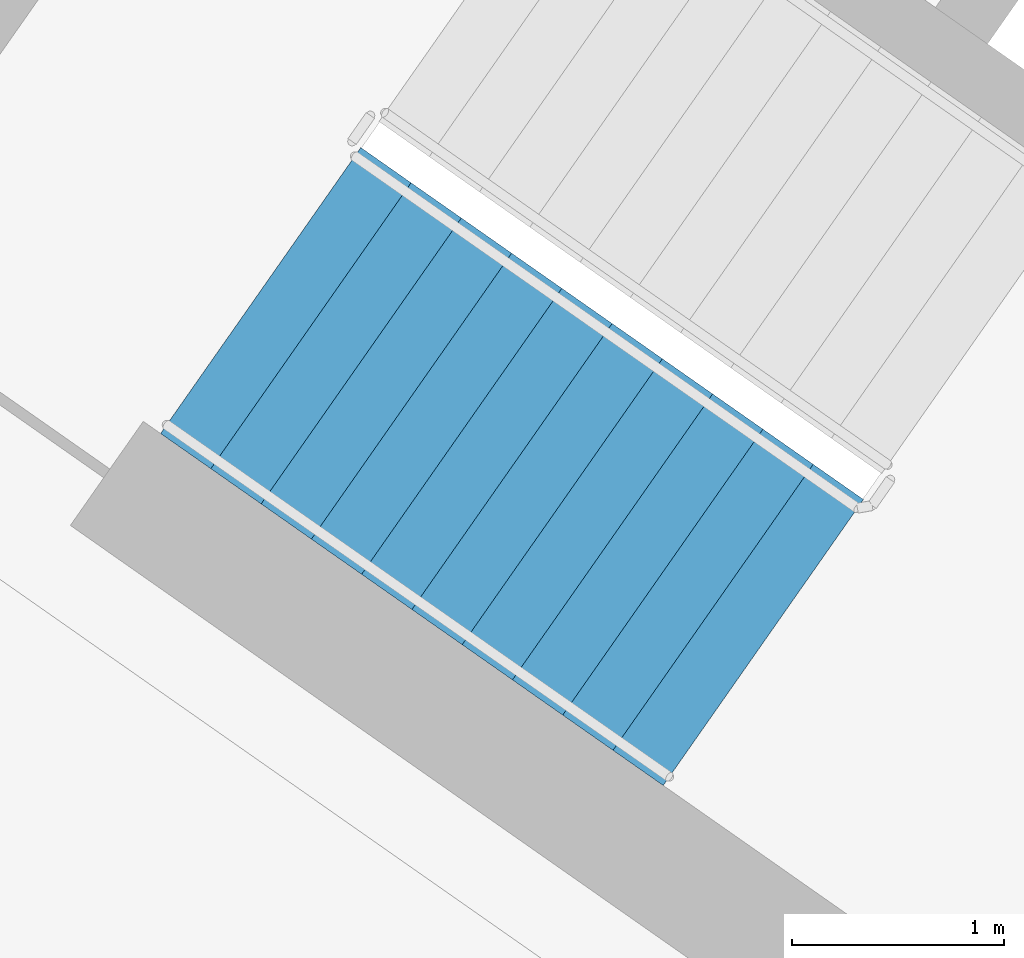
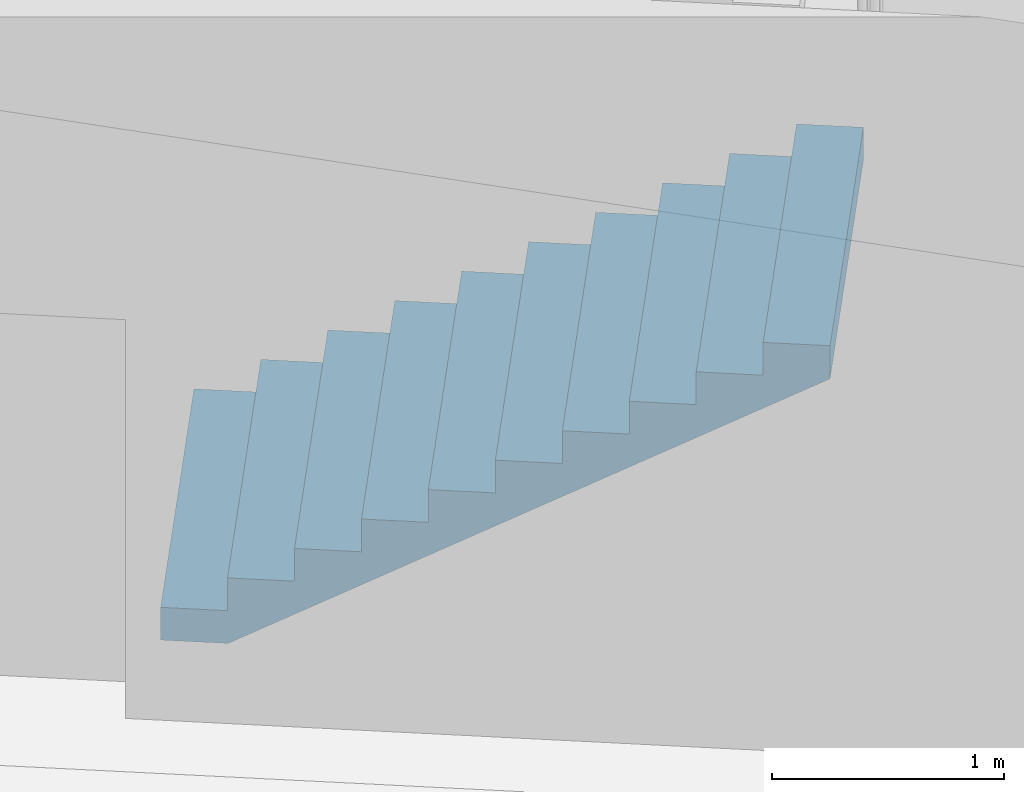
# One storey, part 9 of 28: 1 stair flight, 1 element without a shape of its own.
"""IFC4 building model written with IfcOpenShell, lengths in metres."""

import ifcopenshell
import ifcopenshell.guid

model = None  # the IFC model being written
_history = None  # IfcOwnerHistory: only IFC2X3 demands one
_inside = {}  # id of a spatial element -> (the spatial element, [elements in it])
_under = {}  # id of a project, library or spatial element -> (it, [spatial elements below it])
_declared = {}  # id of a project -> (the project, [libraries it declares])
_typed = {}  # id of a type object -> (the type object, [elements of that type])
_made_of = {}  # id of a material, layer set ... -> (it, [elements and type objects made of it])


def new_model(schema):
    """Start an empty IFC model of exactly this schema.

    Asked for "IFC4X3", IfcOpenShell would pick the latest addendum, in which some entities
    have other attributes; the version numbers below select the first issue.
    IFC2X3 requires an IfcOwnerHistory on every rooted entity: one is made here for all.
    """
    global model, _history
    if schema == "IFC4X3":
        model = ifcopenshell.file(schema_version=(4, 3, 0, 0))
    else:
        model = ifcopenshell.file(schema=schema)
    _inside.clear()
    _under.clear()
    _declared.clear()
    _typed.clear()
    _made_of.clear()
    _history = None
    if model.schema == "IFC2X3":
        org = make("IfcOrganization", Name="unknown")
        user = make(
            "IfcPersonAndOrganization",
            ThePerson=make("IfcPerson", FamilyName="unknown"),
            TheOrganization=org,
        )
        app = make(
            "IfcApplication",
            ApplicationDeveloper=org,
            Version="unknown",
            ApplicationFullName="unknown",
            ApplicationIdentifier="unknown",
        )
        _history = make(
            "IfcOwnerHistory",
            OwningUser=user,
            OwningApplication=app,
            ChangeAction="ADDED",
            CreationDate=0,
        )
    return model


def make(cls, **values):
    """One entity of the class cls with the attributes given. An attribute that is None is left unset."""
    return model.create_entity(
        cls, **{name: value for name, value in values.items() if value is not None}
    )


def rooted(cls, **values):
    """An entity with a GlobalId (a new one), such as an element, a storey or a relation."""
    return make(cls, GlobalId=ifcopenshell.guid.new(), OwnerHistory=_history, **values)


def si_unit(unit_type, name, prefix=None):
    """IfcSIUnit, for example si_unit("LENGTHUNIT", "METRE", prefix="MILLI")."""
    return make("IfcSIUnit", UnitType=unit_type, Prefix=prefix, Name=name)


def assignment(units):
    """IfcUnitAssignment: the units of a project."""
    return None if units is None else make("IfcUnitAssignment", Units=units)


def point(xyz):
    """IfcCartesianPoint."""
    return None if xyz is None else make("IfcCartesianPoint", Coordinates=xyz)


def direction(xyz):
    """IfcDirection."""
    return None if xyz is None else make("IfcDirection", DirectionRatios=xyz)


def frame(location, z_axis=None, x_axis=None):
    """IfcAxis2Placement3D, a coordinate frame: its origin and axes. An axis left out is left unset."""
    return make(
        "IfcAxis2Placement3D",
        Location=point(location),
        Axis=direction(z_axis),
        RefDirection=direction(x_axis),
    )


def origin():
    """The frame at (0, 0, 0) with its axes left unset."""
    return frame((0.0, 0.0, 0.0))


def place(relative_to, where):
    """IfcLocalPlacement: puts the frame where relative to a parent placement (None: the world)."""
    return make(
        "IfcLocalPlacement", PlacementRelTo=relative_to, RelativePlacement=where
    )


def context(
    kind, dimensions, precision=None, world=None, true_north=None, identifier=None
):
    """IfcGeometricRepresentationContext, for example the 3D "Model" context."""
    return make(
        "IfcGeometricRepresentationContext",
        ContextIdentifier=identifier,
        ContextType=kind,
        CoordinateSpaceDimension=dimensions,
        Precision=precision,
        WorldCoordinateSystem=world,
        TrueNorth=true_north,
    )


def subcontext(parent, identifier, kind, view, scale=None):
    """IfcGeometricRepresentationSubContext, for example "Body" below "Model"."""
    return make(
        "IfcGeometricRepresentationSubContext",
        ContextIdentifier=identifier,
        ContextType=kind,
        ParentContext=parent,
        TargetScale=scale,
        TargetView=view,
    )


def project(units=None, contexts=None):
    """IfcProject with its units and contexts."""
    return rooted(
        "IfcProject",
        Name="project",
        RepresentationContexts=contexts,
        UnitsInContext=assignment(units),
    )


def spatial(cls, under=None, at=None, **own):
    """A site, building, storey or space (cls), placed at a placement, below another one or the project."""
    s = rooted(cls, ObjectPlacement=at, **own)
    if under is not None:
        _under.setdefault(under.id(), (under, []))[1].append(s)
    return s


def faces_of(points, faces, orient=None, outer=None):
    """IfcFace entities. A face is a list of loops; a loop is a list of indices into points, from 0.

    orient and outer hold one flag for each loop. By default every Orientation is true, the
    first loop of a face is its IfcFaceOuterBound and the others are IfcFaceBound.
    """
    made = []
    for i, loops in enumerate(faces):
        bounds = []
        for j, loop in enumerate(loops):
            is_outer = j == 0 if outer is None else outer[i][j]
            bounds.append(
                make(
                    "IfcFaceOuterBound" if is_outer else "IfcFaceBound",
                    Bound=make("IfcPolyLoop", Polygon=[points[k] for k in loop]),
                    Orientation=True if orient is None else orient[i][j],
                )
            )
        made.append(make("IfcFace", Bounds=bounds))
    return made


def faceted_brep(points, faces, orient=None, outer=None, voids=None):
    """IfcFacetedBrep: a solid bounded by flat faces; with voids (closed shells), ...WithVoids."""
    shared = [point(p) for p in points]
    hull = make("IfcClosedShell", CfsFaces=faces_of(shared, faces, orient, outer))
    if voids is None:
        return make("IfcFacetedBrep", Outer=hull)
    return make(
        "IfcFacetedBrepWithVoids",
        Outer=hull,
        Voids=[
            make(cls, CfsFaces=faces_of(shared, fs, o, b)) for cls, fs, o, b in voids
        ],
    )


def shape(context_of_items, identifier, shape_type, items):
    """IfcShapeRepresentation: the items that make up one representation, for example the "Body"."""
    return make(
        "IfcShapeRepresentation",
        ContextOfItems=context_of_items,
        RepresentationIdentifier=identifier,
        RepresentationType=shape_type,
        Items=items,
    )


def material(Name=None, Category=None):
    """IfcMaterial."""
    return make("IfcMaterial", Name=Name, Category=Category)


def made_of(thing, what):
    """Note that an element or type object is made of a material, layer set ...; save() writes the relation."""
    if what is not None:
        _made_of.setdefault(what.id(), (what, []))[1].append(thing)
    return thing


def type_object(cls, material=None, **own):
    """A type object (cls), such as IfcWallType, which elements share."""
    return made_of(rooted(cls, **own), material)


def element(
    cls,
    number,
    at=None,
    inside=None,
    cuts=None,
    type_object=None,
    material=None,
    context=None,
    identifier="Body",
    shape_type=None,
    held_by="IfcProductDefinitionShape",
    body=None,
    shapes=None,
    **own,
):
    """One element of the class cls, such as IfcWall. Its Tag is "e" and its number.

    at: its placement. inside: the storey or other place that contains it. cuts: it is an
    opening in that element (IfcRelVoidsElement). A single representation is given by context,
    identifier, shape_type and body (its items); several are given by shapes. held_by: the class
    of the entity that holds the representations. save() writes the other relations.
    """
    e = rooted(cls, Tag="e%d" % number, ObjectPlacement=at, **own)
    if body is not None:
        shapes = [shape(context, identifier, shape_type, body)]
    if shapes is not None:
        e.Representation = make(held_by, Representations=shapes)
    if inside is not None:
        _inside.setdefault(inside.id(), (inside, []))[1].append(e)
    if cuts is not None:
        rooted(
            "IfcRelVoidsElement", RelatingBuildingElement=cuts, RelatedOpeningElement=e
        )
    if type_object is not None:
        _typed.setdefault(type_object.id(), (type_object, []))[1].append(e)
    return made_of(e, material)


def aggregate(whole, parts):
    """IfcRelAggregates: a whole, such as a stair, and the parts it consists of."""
    return rooted("IfcRelAggregates", RelatingObject=whole, RelatedObjects=parts)


def save(model, path):
    """Write the relations noted so far, then the file.

    IfcRelAggregates (storeys below a building ...), IfcRelContainedInSpatialStructure (elements
    in a storey), IfcRelDefinesByType, IfcRelAssociatesMaterial and IfcRelDeclares: one each for
    every whole, place, type object, material and project.
    """
    for whole, parts in _under.values():
        aggregate(whole, parts)
    for where, things in _inside.values():
        rooted(
            "IfcRelContainedInSpatialStructure",
            RelatedElements=things,
            RelatingStructure=where,
        )
    for kind, things in _typed.values():
        rooted("IfcRelDefinesByType", RelatedObjects=things, RelatingType=kind)
    for what, things in _made_of.values():
        rooted("IfcRelAssociatesMaterial", RelatedObjects=things, RelatingMaterial=what)
    for by, libraries in _declared.values():
        rooted("IfcRelDeclares", RelatingContext=by, RelatedDefinitions=libraries)
    model.write(path)


model = new_model("IFC4")

# Units and contexts
model_context = context("Model", 3, precision=1e-05, world=origin(), true_north=direction((0.0, 1.0)))
body_context = subcontext(model_context, "Body", "Model", "MODEL_VIEW")
ifc_project = project(units=[si_unit("LENGTHUNIT", "METRE"), si_unit("AREAUNIT", "SQUARE_METRE"), si_unit("VOLUMEUNIT", "CUBIC_METRE"), si_unit("PLANEANGLEUNIT", "RADIAN"), si_unit("MASSUNIT", "GRAM", prefix="KILO")], contexts=[model_context])

# Site, building, storey
site_placement = place(None, origin())
site = spatial("IfcSite", under=ifc_project, at=site_placement, CompositionType="ELEMENT")
building_placement = place(site_placement, origin())
building = spatial("IfcBuilding", under=site, at=building_placement, Name="Qamariyya Broadcast Tower", CompositionType="ELEMENT")
storey_placement = place(building_placement, frame((0.0, 0.0, 265.699951171875)))
storey = spatial("IfcBuildingStorey", under=building, at=storey_placement, Name="L64", CompositionType="ELEMENT", Elevation=265.699951171875)

# Stair, stair flight
ifc_material = material(Name="Concrete C50/60", Category="concrete")
stair_type = type_object("IfcStairType", Name="Exit stair 22 risers of 173 mm", PredefinedType="HALF_TURN_STAIR", material=ifc_material)
stair_placement = place(storey_placement, origin())
stair = element("IfcStair", 1, at=stair_placement, inside=storey, type_object=stair_type, Name="L64 Stair W1", PredefinedType="HALF_TURN_STAIR")
stair_flight_type = type_object("IfcStairFlightType", Name="Exit stair flight 11 risers of 173 mm", PredefinedType="STRAIGHT", material=ifc_material)
stair_flight_placement = place(storey_placement, frame((-47.06884765625, -56.982666015625, 0.0), z_axis=(0.0, 0.0, 1.0), x_axis=(0.819152044289, -0.573576436351, 0.0)))
stair_flight = element("IfcStairFlight", 2, at=stair_flight_placement, type_object=stair_flight_type, Name="ST-W1 flight 1", NumberOfRisers=11, NumberOfTreads=10, PredefinedType="STRAIGHT", RiserHeight=0.172727273, TreadLength=0.29, context=body_context, shape_type="Brep", body=[
    faceted_brep([(0.0, 0.824951171875, 0.0), (0.0, 0.824951171875, 0.172607421875), (0.2900390625, 0.824951171875, 0.172607421875), (0.2900390625, 0.824951171875, 0.345458984375), (0.580078125, 0.824951171875, 0.345458984375), (0.580078125, 0.824951171875, 0.51806640625), (0.8701171875, 0.824951171875, 0.51806640625), (0.8701171875, 0.824951171875, 0.69091796875), (1.159912109375, 0.824951171875, 0.69091796875), (1.159912109375, 0.824951171875, 0.863525390625), (1.449951171875, 0.824951171875, 0.863525390625), (1.449951171875, 0.824951171875, 1.036376953125), (1.739990234375, 0.824951171875, 1.036376953125), (1.739990234375, 0.824951171875, 1.208984375), (2.030029296875, 0.824951171875, 1.208984375), (2.030029296875, 0.824951171875, 1.3818359375), (2.320068359375, 0.824951171875, 1.3818359375), (2.320068359375, 0.824951171875, 1.554443359375), (2.610107421875, 0.824951171875, 1.554443359375), (2.610107421875, 0.824951171875, 1.727294921875), (2.89990234375, 0.824951171875, 1.727294921875), (2.89990234375, 0.824951171875, 1.552734375), (0.29296875, 0.824951171875, 0.0), (0.29296875, -0.824951171875, 0.0), (2.89990234375, -0.824951171875, 1.552734375), (2.89990234375, -0.824951171875, 1.727294921875), (2.610107421875, -0.824951171875, 1.727294921875), (2.610107421875, -0.824951171875, 1.554443359375), (2.320068359375, -0.824951171875, 1.554443359375), (2.320068359375, -0.824951171875, 1.3818359375), (2.030029296875, -0.824951171875, 1.3818359375), (2.030029296875, -0.824951171875, 1.208984375), (1.739990234375, -0.824951171875, 1.208984375), (1.739990234375, -0.824951171875, 1.036376953125), (1.449951171875, -0.824951171875, 1.036376953125), (1.449951171875, -0.824951171875, 0.863525390625), (1.159912109375, -0.824951171875, 0.863525390625), (1.159912109375, -0.824951171875, 0.69091796875), (0.8701171875, -0.824951171875, 0.69091796875), (0.8701171875, -0.824951171875, 0.51806640625), (0.580078125, -0.824951171875, 0.51806640625), (0.580078125, -0.824951171875, 0.345458984375), (0.2900390625, -0.824951171875, 0.345458984375), (0.2900390625, -0.824951171875, 0.172607421875), (0.0, -0.824951171875, 0.172607421875), (0.0, -0.824951171875, 0.0), (0.0, 0.10009765625, 0.0), (0.0, 0.086669921875, 0.0), (0.0, 0.0732421875, 0.0), (0.0, 0.06005859375, 0.0), (0.0, 0.046630859375, 0.0), (0.0, 0.033447265625, 0.0), (0.0, 0.02001953125, 0.0), (0.0, 0.006591796875, 0.0), (0.0, -0.006591796875, 0.0), (0.0, -0.02001953125, 0.0), (0.0, -0.033447265625, 0.0), (0.0, -0.046630859375, 0.0), (0.0, -0.06005859375, 0.0), (0.0, -0.0732421875, 0.0), (0.0, -0.086669921875, 0.0), (0.0, -0.10009765625, 0.0), (0.0, -0.10009765625, 0.172607421875), (0.0, -0.086669921875, 0.172607421875), (0.0, -0.0732421875, 0.172607421875), (0.0, -0.06005859375, 0.172607421875), (0.0, -0.046630859375, 0.172607421875), (0.0, -0.033447265625, 0.172607421875), (0.0, -0.02001953125, 0.172607421875), (0.0, -0.006591796875, 0.172607421875), (0.0, 0.006591796875, 0.172607421875), (0.0, 0.02001953125, 0.172607421875), (0.0, 0.033447265625, 0.172607421875), (0.0, 0.046630859375, 0.172607421875), (0.0, 0.06005859375, 0.172607421875), (0.0, 0.0732421875, 0.172607421875), (0.0, 0.086669921875, 0.172607421875), (0.0, 0.10009765625, 0.172607421875), (0.2900390625, -0.10009765625, 0.172607421875), (0.2900390625, -0.086669921875, 0.172607421875), (0.2900390625, -0.0732421875, 0.172607421875), (0.2900390625, -0.06005859375, 0.172607421875), (0.2900390625, -0.046630859375, 0.172607421875), (0.2900390625, -0.033447265625, 0.172607421875), (0.2900390625, -0.02001953125, 0.172607421875), (0.2900390625, -0.006591796875, 0.172607421875), (0.2900390625, 0.006591796875, 0.172607421875), (0.2900390625, 0.02001953125, 0.172607421875), (0.2900390625, 0.033447265625, 0.172607421875), (0.2900390625, 0.046630859375, 0.172607421875), (0.2900390625, 0.06005859375, 0.172607421875), (0.2900390625, 0.0732421875, 0.172607421875), (0.2900390625, 0.086669921875, 0.172607421875), (0.2900390625, 0.10009765625, 0.172607421875), (0.2900390625, -0.10009765625, 0.345458984375), (0.2900390625, -0.086669921875, 0.345458984375), (0.2900390625, -0.0732421875, 0.345458984375), (0.2900390625, -0.06005859375, 0.345458984375), (0.2900390625, -0.046630859375, 0.345458984375), (0.2900390625, -0.033447265625, 0.345458984375), (0.2900390625, -0.02001953125, 0.345458984375), (0.2900390625, -0.006591796875, 0.345458984375), (0.2900390625, 0.006591796875, 0.345458984375), (0.2900390625, 0.02001953125, 0.345458984375), (0.2900390625, 0.033447265625, 0.345458984375), (0.2900390625, 0.046630859375, 0.345458984375), (0.2900390625, 0.06005859375, 0.345458984375), (0.2900390625, 0.0732421875, 0.345458984375), (0.2900390625, 0.086669921875, 0.345458984375), (0.2900390625, 0.10009765625, 0.345458984375), (0.580078125, -0.10009765625, 0.345458984375), (0.580078125, -0.086669921875, 0.345458984375), (0.580078125, -0.0732421875, 0.345458984375), (0.580078125, -0.06005859375, 0.345458984375), (0.580078125, -0.046630859375, 0.345458984375), (0.580078125, -0.033447265625, 0.345458984375), (0.580078125, -0.02001953125, 0.345458984375), (0.580078125, -0.006591796875, 0.345458984375), (0.580078125, 0.006591796875, 0.345458984375), (0.580078125, 0.02001953125, 0.345458984375), (0.580078125, 0.033447265625, 0.345458984375), (0.580078125, 0.046630859375, 0.345458984375), (0.580078125, 0.06005859375, 0.345458984375), (0.580078125, 0.0732421875, 0.345458984375), (0.580078125, 0.086669921875, 0.345458984375), (0.580078125, 0.10009765625, 0.345458984375), (0.580078125, -0.10009765625, 0.51806640625), (0.580078125, -0.086669921875, 0.51806640625), (0.580078125, -0.0732421875, 0.51806640625), (0.580078125, -0.06005859375, 0.51806640625), (0.580078125, -0.046630859375, 0.51806640625), (0.580078125, -0.033447265625, 0.51806640625), (0.580078125, -0.02001953125, 0.51806640625), (0.580078125, -0.006591796875, 0.51806640625), (0.580078125, 0.006591796875, 0.51806640625), (0.580078125, 0.02001953125, 0.51806640625), (0.580078125, 0.033447265625, 0.51806640625), (0.580078125, 0.046630859375, 0.51806640625), (0.580078125, 0.06005859375, 0.51806640625), (0.580078125, 0.0732421875, 0.51806640625), (0.580078125, 0.086669921875, 0.51806640625), (0.580078125, 0.10009765625, 0.51806640625), (0.8701171875, -0.10009765625, 0.51806640625), (0.8701171875, -0.086669921875, 0.51806640625), (0.8701171875, -0.0732421875, 0.51806640625), (0.8701171875, -0.06005859375, 0.51806640625), (0.8701171875, -0.046630859375, 0.51806640625), (0.8701171875, -0.033447265625, 0.51806640625), (0.8701171875, -0.02001953125, 0.51806640625), (0.8701171875, -0.006591796875, 0.51806640625), (0.8701171875, 0.006591796875, 0.51806640625), (0.8701171875, 0.02001953125, 0.51806640625), (0.8701171875, 0.033447265625, 0.51806640625), (0.8701171875, 0.046630859375, 0.51806640625), (0.8701171875, 0.06005859375, 0.51806640625), (0.8701171875, 0.0732421875, 0.51806640625), (0.8701171875, 0.086669921875, 0.51806640625), (0.8701171875, 0.10009765625, 0.51806640625), (0.8701171875, -0.10009765625, 0.69091796875), (0.8701171875, -0.086669921875, 0.69091796875), (0.8701171875, -0.0732421875, 0.69091796875), (0.8701171875, -0.06005859375, 0.69091796875), (0.8701171875, -0.046630859375, 0.69091796875), (0.8701171875, -0.033447265625, 0.69091796875), (0.8701171875, -0.02001953125, 0.69091796875), (0.8701171875, -0.006591796875, 0.69091796875), (0.8701171875, 0.006591796875, 0.69091796875), (0.8701171875, 0.02001953125, 0.69091796875), (0.8701171875, 0.033447265625, 0.69091796875), (0.8701171875, 0.046630859375, 0.69091796875), (0.8701171875, 0.06005859375, 0.69091796875), (0.8701171875, 0.0732421875, 0.69091796875), (0.8701171875, 0.086669921875, 0.69091796875), (0.8701171875, 0.10009765625, 0.69091796875), (1.159912109375, -0.10009765625, 0.69091796875), (1.159912109375, -0.086669921875, 0.69091796875), (1.159912109375, -0.0732421875, 0.69091796875), (1.159912109375, -0.06005859375, 0.69091796875), (1.159912109375, -0.046630859375, 0.69091796875), (1.159912109375, -0.033447265625, 0.69091796875), (1.159912109375, -0.02001953125, 0.69091796875), (1.159912109375, -0.006591796875, 0.69091796875), (1.159912109375, 0.006591796875, 0.69091796875), (1.159912109375, 0.02001953125, 0.69091796875), (1.159912109375, 0.033447265625, 0.69091796875), (1.159912109375, 0.046630859375, 0.69091796875), (1.159912109375, 0.06005859375, 0.69091796875), (1.159912109375, 0.0732421875, 0.69091796875), (1.159912109375, 0.086669921875, 0.69091796875), (1.159912109375, 0.10009765625, 0.69091796875), (1.159912109375, -0.10009765625, 0.863525390625), (1.159912109375, -0.086669921875, 0.863525390625), (1.159912109375, -0.0732421875, 0.863525390625), (1.159912109375, -0.06005859375, 0.863525390625), (1.159912109375, -0.046630859375, 0.863525390625), (1.159912109375, -0.033447265625, 0.863525390625), (1.159912109375, -0.02001953125, 0.863525390625), (1.159912109375, -0.006591796875, 0.863525390625), (1.159912109375, 0.006591796875, 0.863525390625), (1.159912109375, 0.02001953125, 0.863525390625), (1.159912109375, 0.033447265625, 0.863525390625), (1.159912109375, 0.046630859375, 0.863525390625), (1.159912109375, 0.06005859375, 0.863525390625), (1.159912109375, 0.0732421875, 0.863525390625), (1.159912109375, 0.086669921875, 0.863525390625), (1.159912109375, 0.10009765625, 0.863525390625), (1.449951171875, -0.10009765625, 0.863525390625), (1.449951171875, -0.086669921875, 0.863525390625), (1.449951171875, -0.0732421875, 0.863525390625), (1.449951171875, -0.06005859375, 0.863525390625), (1.449951171875, -0.046630859375, 0.863525390625), (1.449951171875, -0.033447265625, 0.863525390625), (1.449951171875, -0.02001953125, 0.863525390625), (1.449951171875, -0.006591796875, 0.863525390625), (1.449951171875, 0.006591796875, 0.863525390625), (1.449951171875, 0.02001953125, 0.863525390625), (1.449951171875, 0.033447265625, 0.863525390625), (1.449951171875, 0.046630859375, 0.863525390625), (1.449951171875, 0.06005859375, 0.863525390625), (1.449951171875, 0.0732421875, 0.863525390625), (1.449951171875, 0.086669921875, 0.863525390625), (1.449951171875, 0.10009765625, 0.863525390625), (1.449951171875, -0.10009765625, 1.036376953125), (1.449951171875, -0.086669921875, 1.036376953125), (1.449951171875, -0.0732421875, 1.036376953125), (1.449951171875, -0.06005859375, 1.036376953125), (1.449951171875, -0.046630859375, 1.036376953125), (1.449951171875, -0.033447265625, 1.036376953125), (1.449951171875, -0.02001953125, 1.036376953125), (1.449951171875, -0.006591796875, 1.036376953125), (1.449951171875, 0.006591796875, 1.036376953125), (1.449951171875, 0.02001953125, 1.036376953125), (1.449951171875, 0.033447265625, 1.036376953125), (1.449951171875, 0.046630859375, 1.036376953125), (1.449951171875, 0.06005859375, 1.036376953125), (1.449951171875, 0.0732421875, 1.036376953125), (1.449951171875, 0.086669921875, 1.036376953125), (1.449951171875, 0.10009765625, 1.036376953125), (1.739990234375, -0.10009765625, 1.036376953125), (1.739990234375, -0.086669921875, 1.036376953125), (1.739990234375, -0.0732421875, 1.036376953125), (1.739990234375, -0.06005859375, 1.036376953125), (1.739990234375, -0.046630859375, 1.036376953125), (1.739990234375, -0.033447265625, 1.036376953125), (1.739990234375, -0.02001953125, 1.036376953125), (1.739990234375, -0.006591796875, 1.036376953125), (1.739990234375, 0.006591796875, 1.036376953125), (1.739990234375, 0.02001953125, 1.036376953125), (1.739990234375, 0.033447265625, 1.036376953125), (1.739990234375, 0.046630859375, 1.036376953125), (1.739990234375, 0.06005859375, 1.036376953125), (1.739990234375, 0.0732421875, 1.036376953125), (1.739990234375, 0.086669921875, 1.036376953125), (1.739990234375, 0.10009765625, 1.036376953125), (1.739990234375, -0.10009765625, 1.208984375), (1.739990234375, -0.086669921875, 1.208984375), (1.739990234375, -0.0732421875, 1.208984375), (1.739990234375, -0.06005859375, 1.208984375), (1.739990234375, -0.046630859375, 1.208984375), (1.739990234375, -0.033447265625, 1.208984375), (1.739990234375, -0.02001953125, 1.208984375), (1.739990234375, -0.006591796875, 1.208984375), (1.739990234375, 0.006591796875, 1.208984375), (1.739990234375, 0.02001953125, 1.208984375), (1.739990234375, 0.033447265625, 1.208984375), (1.739990234375, 0.046630859375, 1.208984375), (1.739990234375, 0.06005859375, 1.208984375), (1.739990234375, 0.0732421875, 1.208984375), (1.739990234375, 0.086669921875, 1.208984375), (1.739990234375, 0.10009765625, 1.208984375), (2.030029296875, -0.10009765625, 1.208984375), (2.030029296875, -0.086669921875, 1.208984375), (2.030029296875, -0.0732421875, 1.208984375), (2.030029296875, -0.06005859375, 1.208984375), (2.030029296875, -0.046630859375, 1.208984375), (2.030029296875, -0.033447265625, 1.208984375), (2.030029296875, -0.02001953125, 1.208984375), (2.030029296875, -0.006591796875, 1.208984375), (2.030029296875, 0.006591796875, 1.208984375), (2.030029296875, 0.02001953125, 1.208984375), (2.030029296875, 0.033447265625, 1.208984375), (2.030029296875, 0.046630859375, 1.208984375), (2.030029296875, 0.06005859375, 1.208984375), (2.030029296875, 0.0732421875, 1.208984375), (2.030029296875, 0.086669921875, 1.208984375), (2.030029296875, 0.10009765625, 1.208984375), (2.030029296875, -0.10009765625, 1.3818359375), (2.030029296875, -0.086669921875, 1.3818359375), (2.030029296875, -0.0732421875, 1.3818359375), (2.030029296875, -0.06005859375, 1.3818359375), (2.030029296875, -0.046630859375, 1.3818359375), (2.030029296875, -0.033447265625, 1.3818359375), (2.030029296875, -0.02001953125, 1.3818359375), (2.030029296875, -0.006591796875, 1.3818359375), (2.030029296875, 0.006591796875, 1.3818359375), (2.030029296875, 0.02001953125, 1.3818359375), (2.030029296875, 0.033447265625, 1.3818359375), (2.030029296875, 0.046630859375, 1.3818359375), (2.030029296875, 0.06005859375, 1.3818359375), (2.030029296875, 0.0732421875, 1.3818359375), (2.030029296875, 0.086669921875, 1.3818359375), (2.030029296875, 0.10009765625, 1.3818359375), (2.320068359375, -0.10009765625, 1.3818359375), (2.320068359375, -0.086669921875, 1.3818359375), (2.320068359375, -0.0732421875, 1.3818359375), (2.320068359375, -0.06005859375, 1.3818359375), (2.320068359375, -0.046630859375, 1.3818359375), (2.320068359375, -0.033447265625, 1.3818359375), (2.320068359375, -0.02001953125, 1.3818359375), (2.320068359375, -0.006591796875, 1.3818359375), (2.320068359375, 0.006591796875, 1.3818359375), (2.320068359375, 0.02001953125, 1.3818359375), (2.320068359375, 0.033447265625, 1.3818359375), (2.320068359375, 0.046630859375, 1.3818359375), (2.320068359375, 0.06005859375, 1.3818359375), (2.320068359375, 0.0732421875, 1.3818359375), (2.320068359375, 0.086669921875, 1.3818359375), (2.320068359375, 0.10009765625, 1.3818359375), (2.320068359375, -0.10009765625, 1.554443359375), (2.320068359375, -0.086669921875, 1.554443359375), (2.320068359375, -0.0732421875, 1.554443359375), (2.320068359375, -0.06005859375, 1.554443359375), (2.320068359375, -0.046630859375, 1.554443359375), (2.320068359375, -0.033447265625, 1.554443359375), (2.320068359375, -0.02001953125, 1.554443359375), (2.320068359375, -0.006591796875, 1.554443359375), (2.320068359375, 0.006591796875, 1.554443359375), (2.320068359375, 0.02001953125, 1.554443359375), (2.320068359375, 0.033447265625, 1.554443359375), (2.320068359375, 0.046630859375, 1.554443359375), (2.320068359375, 0.06005859375, 1.554443359375), (2.320068359375, 0.0732421875, 1.554443359375), (2.320068359375, 0.086669921875, 1.554443359375), (2.320068359375, 0.10009765625, 1.554443359375), (2.610107421875, -0.10009765625, 1.554443359375), (2.610107421875, -0.086669921875, 1.554443359375), (2.610107421875, -0.0732421875, 1.554443359375), (2.610107421875, -0.06005859375, 1.554443359375), (2.610107421875, -0.046630859375, 1.554443359375), (2.610107421875, -0.033447265625, 1.554443359375), (2.610107421875, -0.02001953125, 1.554443359375), (2.610107421875, -0.006591796875, 1.554443359375), (2.610107421875, 0.006591796875, 1.554443359375), (2.610107421875, 0.02001953125, 1.554443359375), (2.610107421875, 0.033447265625, 1.554443359375), (2.610107421875, 0.046630859375, 1.554443359375), (2.610107421875, 0.06005859375, 1.554443359375), (2.610107421875, 0.0732421875, 1.554443359375), (2.610107421875, 0.086669921875, 1.554443359375), (2.610107421875, 0.10009765625, 1.554443359375), (2.610107421875, -0.10009765625, 1.727294921875), (2.610107421875, -0.086669921875, 1.727294921875), (2.610107421875, -0.0732421875, 1.727294921875), (2.610107421875, -0.06005859375, 1.727294921875), (2.610107421875, -0.046630859375, 1.727294921875), (2.610107421875, -0.033447265625, 1.727294921875), (2.610107421875, -0.02001953125, 1.727294921875), (2.610107421875, -0.006591796875, 1.727294921875), (2.610107421875, 0.006591796875, 1.727294921875), (2.610107421875, 0.02001953125, 1.727294921875), (2.610107421875, 0.033447265625, 1.727294921875), (2.610107421875, 0.046630859375, 1.727294921875), (2.610107421875, 0.06005859375, 1.727294921875), (2.610107421875, 0.0732421875, 1.727294921875), (2.610107421875, 0.086669921875, 1.727294921875), (2.610107421875, 0.10009765625, 1.727294921875), (2.89990234375, -0.10009765625, 1.727294921875), (2.89990234375, -0.086669921875, 1.727294921875), (2.89990234375, -0.0732421875, 1.727294921875), (2.89990234375, -0.06005859375, 1.727294921875), (2.89990234375, -0.046630859375, 1.727294921875), (2.89990234375, -0.033447265625, 1.727294921875), (2.89990234375, -0.02001953125, 1.727294921875), (2.89990234375, -0.006591796875, 1.727294921875), (2.89990234375, 0.006591796875, 1.727294921875), (2.89990234375, 0.02001953125, 1.727294921875), (2.89990234375, 0.033447265625, 1.727294921875), (2.89990234375, 0.046630859375, 1.727294921875), (2.89990234375, 0.06005859375, 1.727294921875), (2.89990234375, 0.0732421875, 1.727294921875), (2.89990234375, 0.086669921875, 1.727294921875), (2.89990234375, 0.10009765625, 1.727294921875), (2.89990234375, -0.10009765625, 1.552734375), (2.89990234375, -0.086669921875, 1.552734375), (2.89990234375, -0.0732421875, 1.552734375), (2.89990234375, -0.06005859375, 1.552734375), (2.89990234375, -0.046630859375, 1.552734375), (2.89990234375, -0.033447265625, 1.552734375), (2.89990234375, -0.02001953125, 1.552734375), (2.89990234375, -0.006591796875, 1.552734375), (2.89990234375, 0.006591796875, 1.552734375), (2.89990234375, 0.02001953125, 1.552734375), (2.89990234375, 0.033447265625, 1.552734375), (2.89990234375, 0.046630859375, 1.552734375), (2.89990234375, 0.06005859375, 1.552734375), (2.89990234375, 0.0732421875, 1.552734375), (2.89990234375, 0.086669921875, 1.552734375), (2.89990234375, 0.10009765625, 1.552734375), (0.29296875, -0.10009765625, 0.0), (0.29296875, -0.086669921875, 0.0), (0.29296875, -0.0732421875, 0.0), (0.29296875, -0.06005859375, 0.0), (0.29296875, -0.046630859375, 0.0), (0.29296875, -0.033447265625, 0.0), (0.29296875, -0.02001953125, 0.0), (0.29296875, -0.006591796875, 0.0), (0.29296875, 0.006591796875, 0.0), (0.29296875, 0.02001953125, 0.0), (0.29296875, 0.033447265625, 0.0), (0.29296875, 0.046630859375, 0.0), (0.29296875, 0.06005859375, 0.0), (0.29296875, 0.0732421875, 0.0), (0.29296875, 0.086669921875, 0.0), (0.29296875, 0.10009765625, 0.0)], [[[0, 1, 2, 3, 4, 5, 6, 7, 8, 9, 10, 11, 12, 13, 14, 15, 16, 17, 18, 19, 20, 21, 22]], [[23, 24, 25, 26, 27, 28, 29, 30, 31, 32, 33, 34, 35, 36, 37, 38, 39, 40, 41, 42, 43, 44, 45]], [[0, 46, 47, 48, 49, 50, 51, 52, 53, 54, 55, 56, 57, 58, 59, 60, 61, 45, 44, 62, 63, 64, 65, 66, 67, 68, 69, 70, 71, 72, 73, 74, 75, 76, 77, 1]], [[1, 77, 76, 75, 74, 73, 72, 71, 70, 69, 68, 67, 66, 65, 64, 63, 62, 44, 43, 78, 79, 80, 81, 82, 83, 84, 85, 86, 87, 88, 89, 90, 91, 92, 93, 2]], [[2, 93, 92, 91, 90, 89, 88, 87, 86, 85, 84, 83, 82, 81, 80, 79, 78, 43, 42, 94, 95, 96, 97, 98, 99, 100, 101, 102, 103, 104, 105, 106, 107, 108, 109, 3]], [[3, 109, 108, 107, 106, 105, 104, 103, 102, 101, 100, 99, 98, 97, 96, 95, 94, 42, 41, 110, 111, 112, 113, 114, 115, 116, 117, 118, 119, 120, 121, 122, 123, 124, 125, 4]], [[4, 125, 124, 123, 122, 121, 120, 119, 118, 117, 116, 115, 114, 113, 112, 111, 110, 41, 40, 126, 127, 128, 129, 130, 131, 132, 133, 134, 135, 136, 137, 138, 139, 140, 141, 5]], [[5, 141, 140, 139, 138, 137, 136, 135, 134, 133, 132, 131, 130, 129, 128, 127, 126, 40, 39, 142, 143, 144, 145, 146, 147, 148, 149, 150, 151, 152, 153, 154, 155, 156, 157, 6]], [[6, 157, 156, 155, 154, 153, 152, 151, 150, 149, 148, 147, 146, 145, 144, 143, 142, 39, 38, 158, 159, 160, 161, 162, 163, 164, 165, 166, 167, 168, 169, 170, 171, 172, 173, 7]], [[7, 173, 172, 171, 170, 169, 168, 167, 166, 165, 164, 163, 162, 161, 160, 159, 158, 38, 37, 174, 175, 176, 177, 178, 179, 180, 181, 182, 183, 184, 185, 186, 187, 188, 189, 8]], [[8, 189, 188, 187, 186, 185, 184, 183, 182, 181, 180, 179, 178, 177, 176, 175, 174, 37, 36, 190, 191, 192, 193, 194, 195, 196, 197, 198, 199, 200, 201, 202, 203, 204, 205, 9]], [[9, 205, 204, 203, 202, 201, 200, 199, 198, 197, 196, 195, 194, 193, 192, 191, 190, 36, 35, 206, 207, 208, 209, 210, 211, 212, 213, 214, 215, 216, 217, 218, 219, 220, 221, 10]], [[10, 221, 220, 219, 218, 217, 216, 215, 214, 213, 212, 211, 210, 209, 208, 207, 206, 35, 34, 222, 223, 224, 225, 226, 227, 228, 229, 230, 231, 232, 233, 234, 235, 236, 237, 11]], [[11, 237, 236, 235, 234, 233, 232, 231, 230, 229, 228, 227, 226, 225, 224, 223, 222, 34, 33, 238, 239, 240, 241, 242, 243, 244, 245, 246, 247, 248, 249, 250, 251, 252, 253, 12]], [[12, 253, 252, 251, 250, 249, 248, 247, 246, 245, 244, 243, 242, 241, 240, 239, 238, 33, 32, 254, 255, 256, 257, 258, 259, 260, 261, 262, 263, 264, 265, 266, 267, 268, 269, 13]], [[13, 269, 268, 267, 266, 265, 264, 263, 262, 261, 260, 259, 258, 257, 256, 255, 254, 32, 31, 270, 271, 272, 273, 274, 275, 276, 277, 278, 279, 280, 281, 282, 283, 284, 285, 14]], [[14, 285, 284, 283, 282, 281, 280, 279, 278, 277, 276, 275, 274, 273, 272, 271, 270, 31, 30, 286, 287, 288, 289, 290, 291, 292, 293, 294, 295, 296, 297, 298, 299, 300, 301, 15]], [[15, 301, 300, 299, 298, 297, 296, 295, 294, 293, 292, 291, 290, 289, 288, 287, 286, 30, 29, 302, 303, 304, 305, 306, 307, 308, 309, 310, 311, 312, 313, 314, 315, 316, 317, 16]], [[16, 317, 316, 315, 314, 313, 312, 311, 310, 309, 308, 307, 306, 305, 304, 303, 302, 29, 28, 318, 319, 320, 321, 322, 323, 324, 325, 326, 327, 328, 329, 330, 331, 332, 333, 17]], [[17, 333, 332, 331, 330, 329, 328, 327, 326, 325, 324, 323, 322, 321, 320, 319, 318, 28, 27, 334, 335, 336, 337, 338, 339, 340, 341, 342, 343, 344, 345, 346, 347, 348, 349, 18]], [[18, 349, 348, 347, 346, 345, 344, 343, 342, 341, 340, 339, 338, 337, 336, 335, 334, 27, 26, 350, 351, 352, 353, 354, 355, 356, 357, 358, 359, 360, 361, 362, 363, 364, 365, 19]], [[19, 365, 364, 363, 362, 361, 360, 359, 358, 357, 356, 355, 354, 353, 352, 351, 350, 26, 25, 366, 367, 368, 369, 370, 371, 372, 373, 374, 375, 376, 377, 378, 379, 380, 381, 20]], [[20, 381, 380, 379, 378, 377, 376, 375, 374, 373, 372, 371, 370, 369, 368, 367, 366, 25, 24, 382, 383, 384, 385, 386, 387, 388, 389, 390, 391, 392, 393, 394, 395, 396, 397, 21]], [[21, 397, 396, 395, 394, 393, 392, 391, 390, 389, 388, 387, 386, 385, 384, 383, 382, 24, 23, 398, 399, 400, 401, 402, 403, 404, 405, 406, 407, 408, 409, 410, 411, 412, 413, 22]], [[22, 413, 412, 411, 410, 409, 408, 407, 406, 405, 404, 403, 402, 401, 400, 399, 398, 23, 45, 61, 60, 59, 58, 57, 56, 55, 54, 53, 52, 51, 50, 49, 48, 47, 46, 0]]]),
])
aggregate(stair, [stair_flight])

save(model, "model.ifc")
